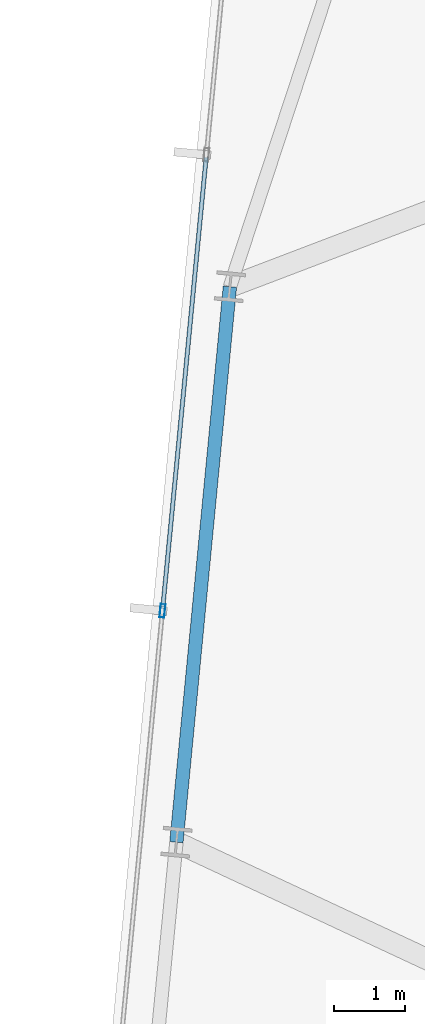
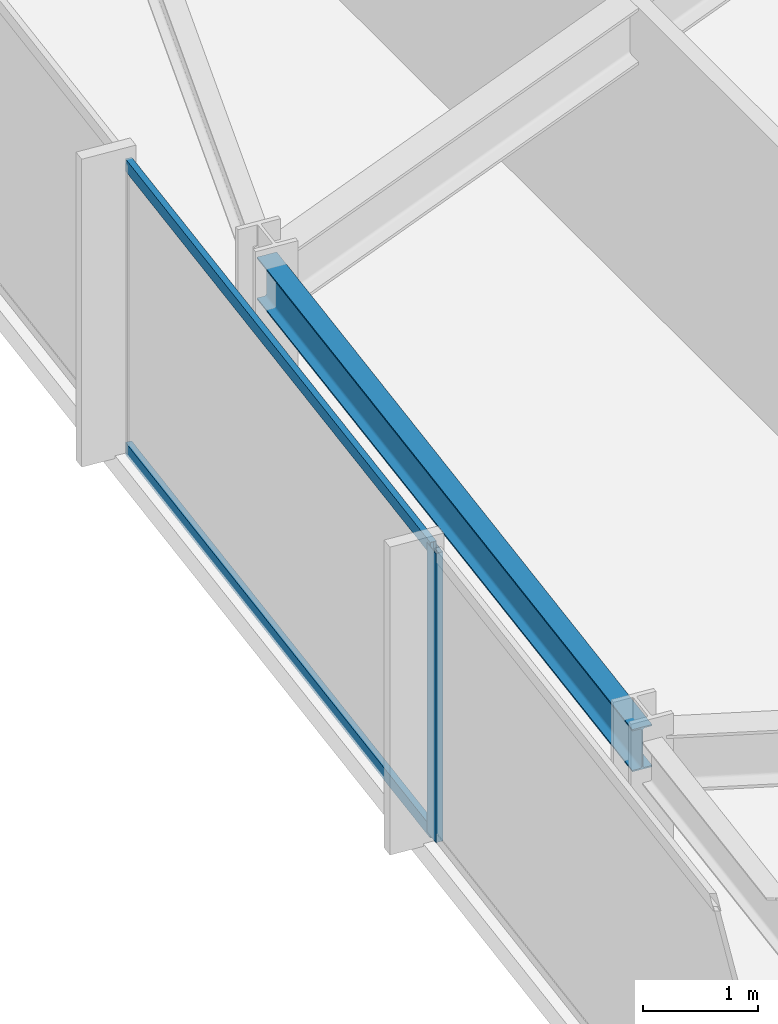
# One storey, part 10 of 37: 3 members, 1 beam, 1 element without a shape of its own.
"""IFC4 building model written with IfcOpenShell, lengths in metres."""

from ifc_helpers import new_model, si_unit, direction, frame, origin, origin_2d, place, context, subcontext, project, spatial, hollow_rectangle, i_section, extrude, material, material_profile, profile_set, type_object, element, aggregate, save


model = new_model("IFC4")

# Units and contexts
model_context = context("Model", 3, precision=1e-05, world=origin(), true_north=direction((0.0, 1.0)))
body_context = subcontext(model_context, "Body", "Model", "MODEL_VIEW")
ifc_project = project(units=[si_unit("LENGTHUNIT", "METRE"), si_unit("AREAUNIT", "SQUARE_METRE"), si_unit("VOLUMEUNIT", "CUBIC_METRE"), si_unit("PLANEANGLEUNIT", "RADIAN"), si_unit("MASSUNIT", "GRAM", prefix="KILO")], contexts=[model_context])

# Site, building, storey
site_placement = place(None, origin())
site = spatial("IfcSite", under=ifc_project, at=site_placement, CompositionType="ELEMENT")
building_placement = place(site_placement, origin())
building = spatial("IfcBuilding", under=site, at=building_placement, Name="Yelkora Congress Tower", CompositionType="ELEMENT")
storey_placement = place(building_placement, frame((0.0, 0.0, 162.199951171875)))
storey = spatial("IfcBuildingStorey", under=building, at=storey_placement, Name="L44", CompositionType="ELEMENT", Elevation=162.199951171875)

# Beam
ifc_material_1 = material(Name="Steel S355J2", Category="steel")
ifc_material_profile_1 = material_profile(ifc_material_1, i_section(OverallWidth=0.18994140625, OverallDepth=0.449951171875, WebThickness=0.009521484375, FlangeThickness=0.0146484375, FilletRadius=0.02099609375, at=origin_2d()), Name="IPE 450")
ifc_profile_set_1 = profile_set([ifc_material_profile_1], Name="Steel S355J2")
beam_type = type_object("IfcBeamType", Name="BM-SPAN-IPE450", PredefinedType="SPANDREL", material=ifc_profile_set_1)
beam_placement = place(storey_placement, frame((4.121826171875, 40.4580078125, 2.85498046875), z_axis=(-0.095864922257, -0.995394352345, 0.0), x_axis=(0.995394352345, -0.095864922257, 0.0)))
element("IfcBeam", 1, at=beam_placement, inside=storey, type_object=beam_type, Name="L44 Perimeter Beam 17", PredefinedType="SPANDREL", context=body_context, shape_type="SweptSolid", body=[
    extrude(i_section(OverallWidth=0.18994140625, OverallDepth=0.449951171875, WebThickness=0.009521484375, FlangeThickness=0.0146484375, FilletRadius=0.02099609375, at=origin_2d()), origin(), (0.0, 0.0, 1.0), 7.89990234375),
])

# Curtain wall, members
ifc_material_2 = material(Name="Anodised aluminium and insulated glass", Category="aluminium")
curtain_wall_type = type_object("IfcCurtainWallType", Name="CW-SYS-B3", PredefinedType="NOTDEFINED", material=ifc_material_2)
curtain_wall_placement = place(storey_placement, origin())
curtain_wall = element("IfcCurtainWall", 2, at=curtain_wall_placement, inside=storey, type_object=curtain_wall_type, Name="L44 Unitised Curtain Wall 5", PredefinedType="NOTDEFINED")
ifc_material_3 = material(Name="Anodised aluminium 6063-T6", Category="aluminium")
ifc_material_profile_2 = material_profile(ifc_material_3, hollow_rectangle(XDim=0.070068359375, YDim=0.18994140625, WallThickness=0.00390625, at=origin_2d()), Name="ALU 70x190x4")
ifc_profile_set_2 = profile_set([ifc_material_profile_2], Name="Anodised aluminium 6063-T6")
member_type_1 = type_object("IfcMemberType", Name="MEM-ML-B3", PredefinedType="MULLION", material=ifc_profile_set_2)
member_1_placement = place(storey_placement, frame((3.167724609375, 35.870361328125, 0.0), z_axis=(0.0, 0.0, 1.0), x_axis=(-0.995396242473, 0.095845294465, 0.0)))
member_1 = element("IfcMember", 3, at=member_1_placement, type_object=member_type_1, Name="CW-B3 mullion 4", PredefinedType="MULLION", context=body_context, shape_type="SweptSolid", body=[
    extrude(hollow_rectangle(XDim=0.070068359375, YDim=0.18994140625, WallThickness=0.00390625, at=origin_2d()), origin(), (0.0, 0.0, 1.0), 3.080078125),
])
ifc_material_profile_3 = material_profile(ifc_material_3, hollow_rectangle(XDim=0.06005859375, YDim=0.1298828125, WallThickness=0.00390625, at=origin_2d()), Name="ALU 60x130x4")
ifc_profile_set_3 = profile_set([ifc_material_profile_3], Name="Anodised aluminium 6063-T6")
member_type_2 = type_object("IfcMemberType", Name="MEM-TR-B3", PredefinedType="USERDEFINED", material=ifc_profile_set_3)
member_2_placement = place(storey_placement, frame((3.171142578125, 35.9052734375, 0.030029296875), z_axis=(0.095847313538, 0.995396048057, 0.0), x_axis=(-0.995396048057, 0.095847313538, 0.0)))
member_2 = element("IfcMember", 4, at=member_2_placement, type_object=member_type_2, Name="CW-B3 transom 4.1", ObjectType="TRANSOM", PredefinedType="USERDEFINED", context=body_context, shape_type="SweptSolid", body=[
    extrude(hollow_rectangle(XDim=0.06005859375, YDim=0.1298828125, WallThickness=0.00390625, at=origin_2d()), origin(), (0.0, 0.0, 1.0), 6.413818359375),
])
member_3_placement = place(storey_placement, frame((3.171142578125, 35.9052734375, 3.050048828125), z_axis=(0.095847313538, 0.995396048057, 0.0), x_axis=(-0.995396048057, 0.095847313538, 0.0)))
member_3 = element("IfcMember", 5, at=member_3_placement, type_object=member_type_2, Name="CW-B3 transom 4.2", ObjectType="TRANSOM", PredefinedType="USERDEFINED", context=body_context, shape_type="SweptSolid", body=[
    extrude(hollow_rectangle(XDim=0.06005859375, YDim=0.1298828125, WallThickness=0.00390625, at=origin_2d()), origin(), (0.0, 0.0, 1.0), 6.413818359375),
])
aggregate(curtain_wall, [member_1, member_2, member_3])

save(model, "model.ifc")
